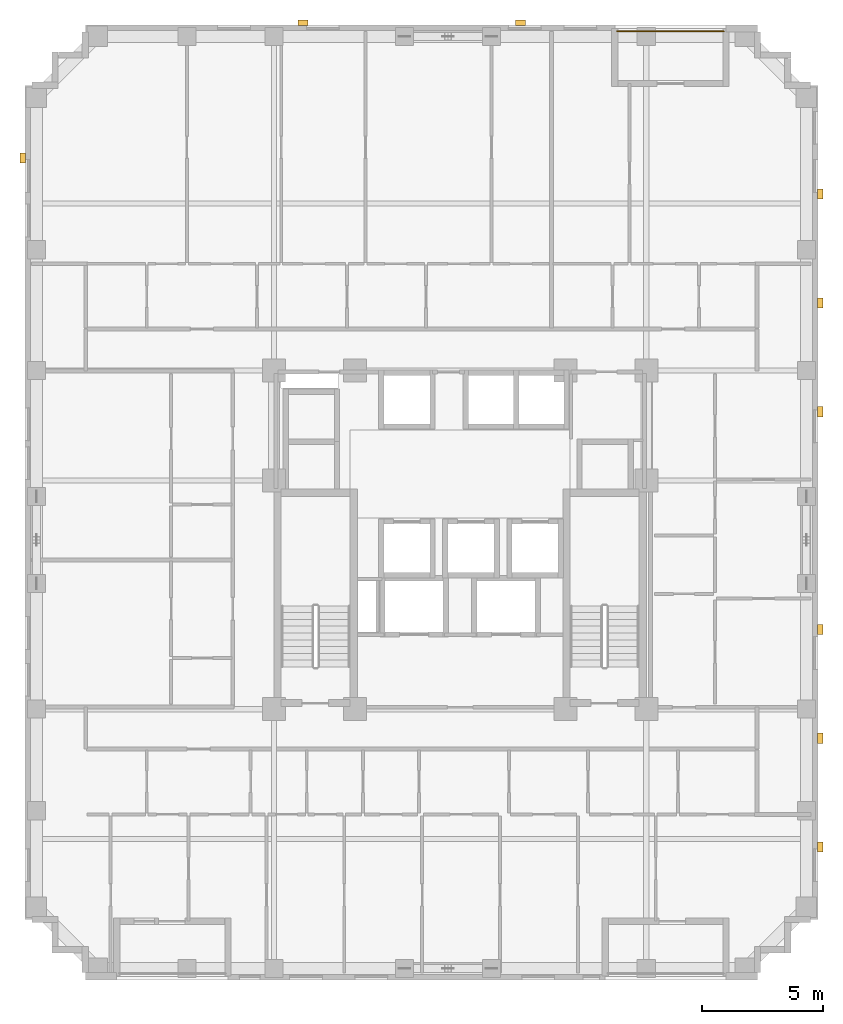
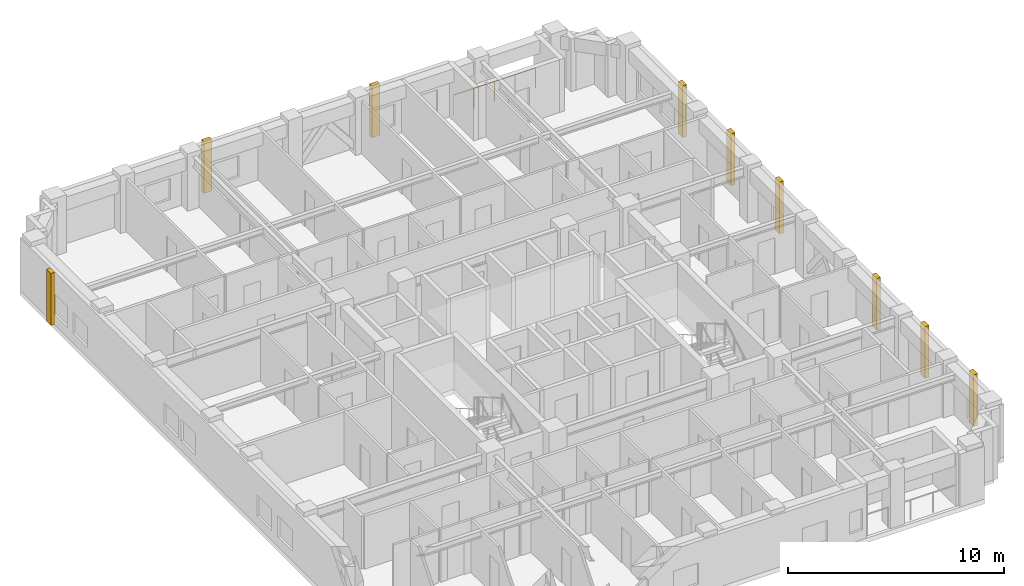
# One storey, part 12 of 12: 9 coverings, 1 railing.
"""IFC4 building model written with IfcOpenShell, lengths in metres."""

import ifcopenshell
import ifcopenshell.guid

model = None  # the IFC model being written
_history = None  # IfcOwnerHistory: only IFC2X3 demands one
_inside = {}  # id of a spatial element -> (the spatial element, [elements in it])
_under = {}  # id of a project, library or spatial element -> (it, [spatial elements below it])
_declared = {}  # id of a project -> (the project, [libraries it declares])
_typed = {}  # id of a type object -> (the type object, [elements of that type])
_made_of = {}  # id of a material, layer set ... -> (it, [elements and type objects made of it])


def new_model(schema):
    """Start an empty IFC model of exactly this schema.

    Asked for "IFC4X3", IfcOpenShell would pick the latest addendum, in which some entities
    have other attributes; the version numbers below select the first issue.
    IFC2X3 requires an IfcOwnerHistory on every rooted entity: one is made here for all.
    """
    global model, _history
    if schema == "IFC4X3":
        model = ifcopenshell.file(schema_version=(4, 3, 0, 0))
    else:
        model = ifcopenshell.file(schema=schema)
    _inside.clear()
    _under.clear()
    _declared.clear()
    _typed.clear()
    _made_of.clear()
    _history = None
    if model.schema == "IFC2X3":
        org = make("IfcOrganization", Name="unknown")
        user = make(
            "IfcPersonAndOrganization",
            ThePerson=make("IfcPerson", FamilyName="unknown"),
            TheOrganization=org,
        )
        app = make(
            "IfcApplication",
            ApplicationDeveloper=org,
            Version="unknown",
            ApplicationFullName="unknown",
            ApplicationIdentifier="unknown",
        )
        _history = make(
            "IfcOwnerHistory",
            OwningUser=user,
            OwningApplication=app,
            ChangeAction="ADDED",
            CreationDate=0,
        )
    return model


def make(cls, **values):
    """One entity of the class cls with the attributes given. An attribute that is None is left unset."""
    return model.create_entity(
        cls, **{name: value for name, value in values.items() if value is not None}
    )


def rooted(cls, **values):
    """An entity with a GlobalId (a new one), such as an element, a storey or a relation."""
    return make(cls, GlobalId=ifcopenshell.guid.new(), OwnerHistory=_history, **values)


def si_unit(unit_type, name, prefix=None):
    """IfcSIUnit, for example si_unit("LENGTHUNIT", "METRE", prefix="MILLI")."""
    return make("IfcSIUnit", UnitType=unit_type, Prefix=prefix, Name=name)


def derived_unit(unit_type, elements):
    """IfcDerivedUnit: a product of units, each with its exponent."""
    return make(
        "IfcDerivedUnit",
        Elements=[
            make("IfcDerivedUnitElement", Unit=unit, Exponent=power)
            for unit, power in elements
        ],
        UnitType=unit_type,
    )


def assignment(units):
    """IfcUnitAssignment: the units of a project."""
    return None if units is None else make("IfcUnitAssignment", Units=units)


def point(xyz):
    """IfcCartesianPoint."""
    return None if xyz is None else make("IfcCartesianPoint", Coordinates=xyz)


def direction(xyz):
    """IfcDirection."""
    return None if xyz is None else make("IfcDirection", DirectionRatios=xyz)


def frame(location, z_axis=None, x_axis=None):
    """IfcAxis2Placement3D, a coordinate frame: its origin and axes. An axis left out is left unset."""
    return make(
        "IfcAxis2Placement3D",
        Location=point(location),
        Axis=direction(z_axis),
        RefDirection=direction(x_axis),
    )


def frame_2d(location, x_axis=None):
    """IfcAxis2Placement2D, a coordinate frame in the plane: its origin and x axis."""
    return make(
        "IfcAxis2Placement2D", Location=point(location), RefDirection=direction(x_axis)
    )


def origin():
    """The frame at (0, 0, 0) with its axes left unset."""
    return frame((0.0, 0.0, 0.0))


def origin_2d():
    """The frame at (0, 0) in the plane with its x axis left unset."""
    return frame_2d((0.0, 0.0))


def place(relative_to, where):
    """IfcLocalPlacement: puts the frame where relative to a parent placement (None: the world)."""
    return make(
        "IfcLocalPlacement", PlacementRelTo=relative_to, RelativePlacement=where
    )


def context(
    kind, dimensions, precision=None, world=None, true_north=None, identifier=None
):
    """IfcGeometricRepresentationContext, for example the 3D "Model" context."""
    return make(
        "IfcGeometricRepresentationContext",
        ContextIdentifier=identifier,
        ContextType=kind,
        CoordinateSpaceDimension=dimensions,
        Precision=precision,
        WorldCoordinateSystem=world,
        TrueNorth=true_north,
    )


def subcontext(parent, identifier, kind, view, scale=None):
    """IfcGeometricRepresentationSubContext, for example "Body" below "Model"."""
    return make(
        "IfcGeometricRepresentationSubContext",
        ContextIdentifier=identifier,
        ContextType=kind,
        ParentContext=parent,
        TargetScale=scale,
        TargetView=view,
    )


def project(units=None, contexts=None):
    """IfcProject with its units and contexts."""
    return rooted(
        "IfcProject",
        Name="project",
        RepresentationContexts=contexts,
        UnitsInContext=assignment(units),
    )


def spatial(cls, under=None, at=None, **own):
    """A site, building, storey or space (cls), placed at a placement, below another one or the project."""
    s = rooted(cls, ObjectPlacement=at, **own)
    if under is not None:
        _under.setdefault(under.id(), (under, []))[1].append(s)
    return s


def profile(cls, at=None, kind="AREA", **sizes):
    """A parametric profile (cls). Its sizes go by their IFC names, for example OverallWidth=200.0."""
    return make(cls, ProfileType=kind, Position=at, **sizes)


def rectangle(**sizes):
    """IfcRectangleProfileDef."""
    return profile("IfcRectangleProfileDef", **sizes)


def circle(**sizes):
    """IfcCircleProfileDef."""
    return profile("IfcCircleProfileDef", **sizes)


def extrude(swept, where, along, depth):
    """IfcExtrudedAreaSolid: the profile swept, set in the frame where, extruded along a direction by depth."""
    return make(
        "IfcExtrudedAreaSolid",
        SweptArea=swept,
        Position=where,
        ExtrudedDirection=direction(along),
        Depth=depth,
    )


def shape(context_of_items, identifier, shape_type, items):
    """IfcShapeRepresentation: the items that make up one representation, for example the "Body"."""
    return make(
        "IfcShapeRepresentation",
        ContextOfItems=context_of_items,
        RepresentationIdentifier=identifier,
        RepresentationType=shape_type,
        Items=items,
    )


def material(Name=None, Category=None):
    """IfcMaterial."""
    return make("IfcMaterial", Name=Name, Category=Category)


def layer(
    of_material, thickness, ventilated=None, Name=None, Category=None, Priority=None
):
    """IfcMaterialLayer: one layer of a wall or slab, of a material (None: an air gap)."""
    return make(
        "IfcMaterialLayer",
        Material=of_material,
        LayerThickness=thickness,
        IsVentilated=ventilated,
        Name=Name,
        Category=Category,
        Priority=Priority,
    )


def layer_set(layers, Name=None):
    """IfcMaterialLayerSet."""
    return make("IfcMaterialLayerSet", MaterialLayers=layers, LayerSetName=Name)


def made_of(thing, what):
    """Note that an element or type object is made of a material, layer set ...; save() writes the relation."""
    if what is not None:
        _made_of.setdefault(what.id(), (what, []))[1].append(thing)
    return thing


def type_object(cls, material=None, **own):
    """A type object (cls), such as IfcWallType, which elements share."""
    return made_of(rooted(cls, **own), material)


def element(
    cls,
    number,
    at=None,
    inside=None,
    cuts=None,
    type_object=None,
    material=None,
    context=None,
    identifier="Body",
    shape_type=None,
    held_by="IfcProductDefinitionShape",
    body=None,
    shapes=None,
    **own,
):
    """One element of the class cls, such as IfcWall. Its Tag is "e" and its number.

    at: its placement. inside: the storey or other place that contains it. cuts: it is an
    opening in that element (IfcRelVoidsElement). A single representation is given by context,
    identifier, shape_type and body (its items); several are given by shapes. held_by: the class
    of the entity that holds the representations. save() writes the other relations.
    """
    e = rooted(cls, Tag="e%d" % number, ObjectPlacement=at, **own)
    if body is not None:
        shapes = [shape(context, identifier, shape_type, body)]
    if shapes is not None:
        e.Representation = make(held_by, Representations=shapes)
    if inside is not None:
        _inside.setdefault(inside.id(), (inside, []))[1].append(e)
    if cuts is not None:
        rooted(
            "IfcRelVoidsElement", RelatingBuildingElement=cuts, RelatedOpeningElement=e
        )
    if type_object is not None:
        _typed.setdefault(type_object.id(), (type_object, []))[1].append(e)
    return made_of(e, material)


def aggregate(whole, parts):
    """IfcRelAggregates: a whole, such as a stair, and the parts it consists of."""
    return rooted("IfcRelAggregates", RelatingObject=whole, RelatedObjects=parts)


def save(model, path):
    """Write the relations noted so far, then the file.

    IfcRelAggregates (storeys below a building ...), IfcRelContainedInSpatialStructure (elements
    in a storey), IfcRelDefinesByType, IfcRelAssociatesMaterial and IfcRelDeclares: one each for
    every whole, place, type object, material and project.
    """
    for whole, parts in _under.values():
        aggregate(whole, parts)
    for where, things in _inside.values():
        rooted(
            "IfcRelContainedInSpatialStructure",
            RelatedElements=things,
            RelatingStructure=where,
        )
    for kind, things in _typed.values():
        rooted("IfcRelDefinesByType", RelatedObjects=things, RelatingType=kind)
    for what, things in _made_of.values():
        rooted("IfcRelAssociatesMaterial", RelatedObjects=things, RelatingMaterial=what)
    for by, libraries in _declared.values():
        rooted("IfcRelDeclares", RelatingContext=by, RelatedDefinitions=libraries)
    model.write(path)


model = new_model("IFC4")

# Units and contexts
model_context = context("Model", 3, precision=1e-05, world=origin(), true_north=direction((0.0, 1.0)))
body_context = subcontext(model_context, "Body", "Model", "MODEL_VIEW")
ifc_project = project(units=[si_unit("LENGTHUNIT", "METRE"), si_unit("AREAUNIT", "SQUARE_METRE"), si_unit("VOLUMEUNIT", "CUBIC_METRE"), si_unit("PLANEANGLEUNIT", "RADIAN"), si_unit("MASSUNIT", "GRAM", prefix="KILO"), derived_unit("THERMALTRANSMITTANCEUNIT", [(si_unit("MASSUNIT", "GRAM", prefix="KILO"), 1), (si_unit("TIMEUNIT", "SECOND"), -3), (si_unit("THERMODYNAMICTEMPERATUREUNIT", "KELVIN"), -1)])], contexts=[model_context])

# Site, building, storey
site_placement = place(None, origin())
site = spatial("IfcSite", under=ifc_project, at=site_placement, CompositionType="ELEMENT")
building_placement = place(site_placement, origin())
building = spatial("IfcBuilding", under=site, at=building_placement, Name="Korrvale Station Residences", CompositionType="ELEMENT")
storey_placement = place(building_placement, frame((0.0, 0.0, 127.64990234375)))
storey = spatial("IfcBuildingStorey", under=building, at=storey_placement, Name="L36", CompositionType="ELEMENT", Elevation=127.64990234375)

# Coverings
ifc_material_1 = material(Name="Architectural precast concrete C45/55", Category="concrete")
ifc_layer = layer(ifc_material_1, 0.219970703125, Name="Architectural precast concrete C45/55")
ifc_layer_set = layer_set([ifc_layer], Name="Architectural precast concrete C45/55")
covering_type = type_object("IfcCoveringType", Name="COV-PIER-400", PredefinedType="CLADDING", material=ifc_layer_set)
for number, where, z_axis, x_axis, name in (
    (1, (19.0, 43.389892578125, 0.025146484375), (0.0, 0.0, 1.0), (1.0, 0.0, 0.0), "L36 Architectural Precast Facade Pier 01"),
    (2, (28.0, 43.389892578125, 0.025146484375), (0.0, 0.0, 1.0), (1.0, 0.0, 0.0), "L36 Architectural Precast Facade Pier 02"),
    (3, (7.409912109375, 37.800048828125, 0.025146484375), (0.0, 0.0, 1.0), (0.0, 1.0, 0.0), "L36 Architectural Precast Facade Pier 03"),
    (4, (40.389892578125, 36.300048828125, 0.025146484375), (0.0, 0.0, 1.0), (0.0, 1.0, 0.0), "L36 Architectural Precast Facade Pier 04"),
    (5, (40.389892578125, 31.800048828125, 0.025146484375), (0.0, 0.0, 1.0), (0.0, 1.0, 0.0), "L36 Architectural Precast Facade Pier 05"),
    (6, (40.389892578125, 27.300048828125, 0.025146484375), (0.0, 0.0, 1.0), (0.0, 1.0, 0.0), "L36 Architectural Precast Facade Pier 06"),
    (7, (40.389892578125, 18.300048828125, 0.025146484375), (0.0, 0.0, 1.0), (0.0, 1.0, 0.0), "L36 Architectural Precast Facade Pier 07"),
    (8, (40.389892578125, 13.800048828125, 0.025146484375), (0.0, 0.0, 1.0), (0.0, 1.0, 0.0), "L36 Architectural Precast Facade Pier 08"),
    (9, (40.389892578125, 9.300048828125, 0.025146484375), (0.0, 0.0, 1.0), (0.0, 1.0, 0.0), "L36 Architectural Precast Facade Pier 09"),
):
    element("IfcCovering", number, at=place(storey_placement, frame(where, z_axis=z_axis, x_axis=x_axis)), inside=storey, type_object=covering_type, Name=name, PredefinedType="CLADDING", context=body_context, shape_type="SweptSolid", body=[
        extrude(rectangle(XDim=0.419921875, YDim=0.219970703125, at=origin_2d()), origin(), (0.0, 0.0, 1.0), 2.93994140625),
    ])

# Railing
ifc_material_2 = material(Name="Powder-coated aluminium picket loggia guard", Category="aluminium")
railing_type = type_object("IfcRailingType", Name="RLG-BAL-1150", PredefinedType="GUARDRAIL", material=ifc_material_2)
railing_placement = place(storey_placement, frame((32.0, 43.030029296875, 0.0)))
element("IfcRailing", 10, at=railing_placement, inside=storey, type_object=railing_type, Name="L36 Recessed Loggia Guardrail BAL-L36-N1", PredefinedType="GUARDRAIL", context=body_context, shape_type="SweptSolid", body=[
    extrude(circle(Radius=0.02392578125, at=origin_2d()), frame((0.0, 0.0, 1.1259765625), z_axis=(1.0, 0.0, 0.0), x_axis=(0.0, 1.0, 0.0)), (0.0, 0.0, 1.0), 4.39990234375),
    extrude(circle(Radius=0.02099609375, at=origin_2d()), origin(), (0.0, 0.0, 1.0), 1.101806640625),
    extrude(circle(Radius=0.02099609375, at=origin_2d()), frame((1.10009765625, 0.0, 0.0)), (0.0, 0.0, 1.0), 1.101806640625),
    extrude(circle(Radius=0.02099609375, at=origin_2d()), frame((2.199951171875, 0.0, 0.0)), (0.0, 0.0, 1.0), 1.101806640625),
    extrude(circle(Radius=0.02099609375, at=origin_2d()), frame((3.2998046875, 0.0, 0.0)), (0.0, 0.0, 1.0), 1.101806640625),
    extrude(circle(Radius=0.02099609375, at=origin_2d()), frame((4.39990234375, 0.0, 0.0)), (0.0, 0.0, 1.0), 1.101806640625),
])

save(model, "model.ifc")
